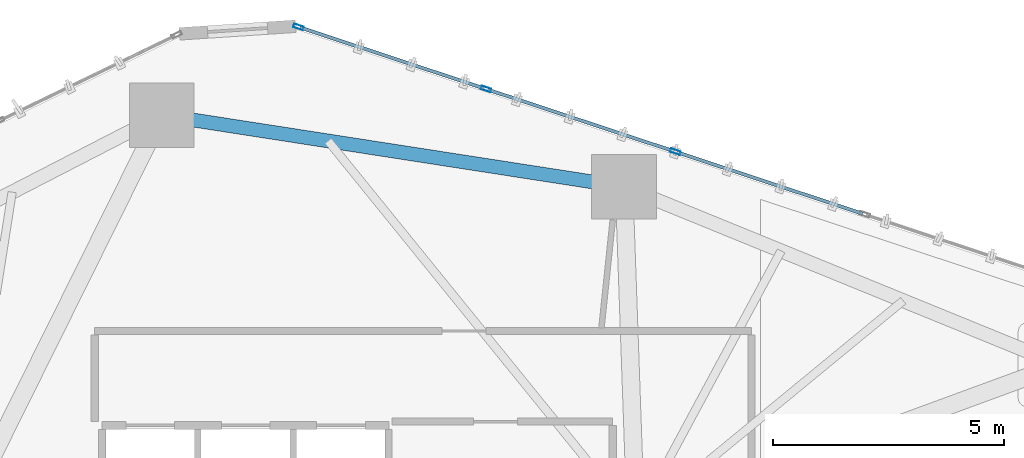
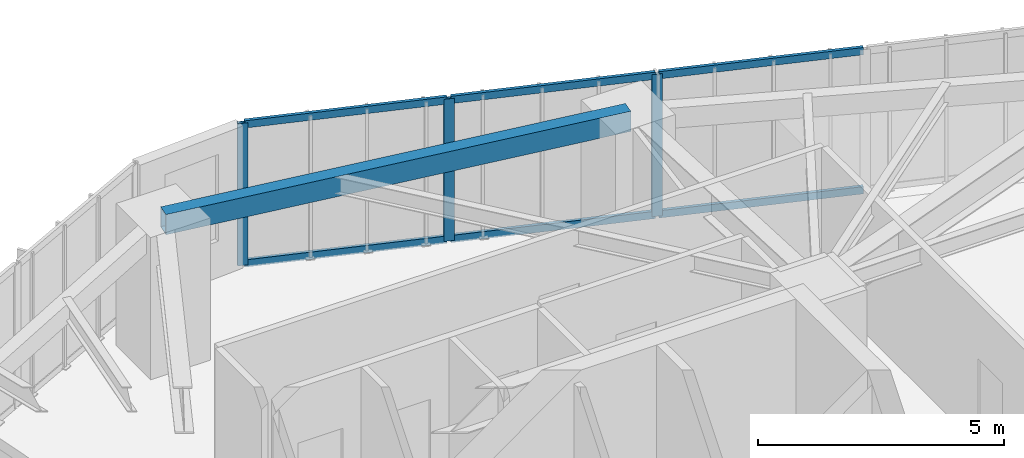
# One storey, part 15 of 23: 9 members, 1 beam, 1 element without a shape of its own.
"""IFC4 building model written with IfcOpenShell, lengths in metres."""

from ifc_helpers import new_model, si_unit, direction, frame, origin, origin_2d, place, context, subcontext, project, spatial, hollow_rectangle, extrude, source, transform, mapped, material, layer, layer_set, material_profile, profile_set, type_object, type_shapes, element, aggregate, save


model = new_model("IFC4")

# Units and contexts
model_context = context("Model", 3, precision=1e-05, world=origin(), true_north=direction((0.0, 1.0)))
body_context = subcontext(model_context, "Body", "Model", "MODEL_VIEW")
ifc_project = project(units=[si_unit("LENGTHUNIT", "METRE"), si_unit("AREAUNIT", "SQUARE_METRE"), si_unit("VOLUMEUNIT", "CUBIC_METRE"), si_unit("PLANEANGLEUNIT", "RADIAN"), si_unit("MASSUNIT", "GRAM", prefix="KILO")], contexts=[model_context])

# Site, building, storey
site_placement = place(None, origin())
site = spatial("IfcSite", under=ifc_project, at=site_placement, CompositionType="ELEMENT")
building_placement = place(site_placement, origin())
building = spatial("IfcBuilding", under=site, at=building_placement, Name="Talar Marvaseh", CompositionType="ELEMENT")
storey_placement = place(building_placement, frame((0.0, 0.0, 35.39990234375)))
storey = spatial("IfcBuildingStorey", under=building, at=storey_placement, Name="L08", CompositionType="ELEMENT", Elevation=35.39990234375)

# Beam
ifc_material_1 = material(Name="Steel S355", Category="steel")
ifc_material_profile_1 = material_profile(ifc_material_1, hollow_rectangle(XDim=0.300048828125, YDim=0.5, WallThickness=0.02001953125, at=origin_2d()), Name="RHS500x300x20")
ifc_profile_set_1 = profile_set([ifc_material_profile_1], Name="Steel S355")
beam_type = type_object("IfcBeamType", Name="Zone 1 Perimeter Spandrel Beam RHS500x300x20", PredefinedType="SPANDREL", material=ifc_profile_set_1)
beam_placement = place(storey_placement, frame((23.047119140625, 45.6669921875, 3.27001953125), z_axis=(0.988210751461, -0.153099675693, 0.0), x_axis=(0.153099675693, 0.988210751461, 0.0)))
element("IfcBeam", 1, at=beam_placement, inside=storey, type_object=beam_type, Name="L08 Zone 1 Perimeter Spandrel Beam RHS500x300x20", PredefinedType="SPANDREL", context=body_context, shape_type="SweptSolid", body=[
    extrude(hollow_rectangle(XDim=0.300048828125, YDim=0.5, WallThickness=0.02001953125, at=origin_2d()), origin(), (0.0, 0.0, 1.0), 10.1181640625),
])

# Curtain wall, members
ifc_material_2 = material(Name="Architectural Aluminium", Category="aluminium")
ifc_layer = layer(ifc_material_2, 0.219970703125)
ifc_layer_set = layer_set([ifc_layer], Name="Architectural Aluminium")
curtain_wall_type = type_object("IfcCurtainWallType", Name="Unitised Low-E Museum Curtain Wall Z1", PredefinedType="NOTDEFINED", material=ifc_layer_set)
curtain_wall_placement = place(storey_placement, origin())
curtain_wall = element("IfcCurtainWall", 2, at=curtain_wall_placement, inside=storey, type_object=curtain_wall_type, Name="L08 Unitised Low-E Museum Curtain Wall Z1", PredefinedType="NOTDEFINED")
ifc_material_profile_2 = material_profile(ifc_material_2, hollow_rectangle(XDim=0.080078125, YDim=0.219970703125, WallThickness=0.0048828125, at=origin_2d()), Name="RHS220x80x5")
ifc_profile_set_2 = profile_set([ifc_material_profile_2], Name="Architectural Aluminium")
member_type_1 = type_object("IfcMemberType", Name="Unitised Curtain Wall Heavy Mullion RHS220x80x5", PredefinedType="MULLION", material=ifc_profile_set_2)
shared_shape_1 = source(origin(), body_context, "Body", "SweptSolid", [
    extrude(hollow_rectangle(XDim=0.080078125, YDim=0.219970703125, WallThickness=0.0048828125, at=origin_2d()), origin(), (0.0, 0.0, 1.0), 3.52001953125),
])
type_shapes(member_type_1, [shared_shape_1])
member_1_placement = place(storey_placement, frame((26.0048828125, 47.573974609375, 0.0), z_axis=(0.0, 0.0, 1.0), x_axis=(0.314287701904, 0.949327783451, 0.0)))
member_1 = element("IfcMember", 3, at=member_1_placement, type_object=member_type_1, Name="CW-Z1 mullion 1", PredefinedType="MULLION", context=body_context, shape_type="MappedRepresentation", body=[
    mapped(shared_shape_1, transform((0.0, 0.0, 0.0), x_axis=(1.0, 0.0, 0.0), y_axis=(0.0, 1.0, 0.0), z_axis=(0.0, 0.0, 1.0), scale=1.0)),
])
member_2_placement = place(storey_placement, frame((30.060302734375, 46.2314453125, 0.0), z_axis=(0.0, 0.0, 1.0), x_axis=(0.314287701904, 0.949327783451, 0.0)))
member_2 = element("IfcMember", 4, at=member_2_placement, type_object=member_type_1, Name="CW-Z1 mullion 2", PredefinedType="MULLION", context=body_context, shape_type="MappedRepresentation", body=[
    mapped(shared_shape_1, transform((0.0, 0.0, 0.0), x_axis=(1.0, 0.0, 0.0), y_axis=(0.0, 1.0, 0.0), z_axis=(0.0, 0.0, 1.0), scale=1.0)),
])
member_3_placement = place(storey_placement, frame((34.153564453125, 44.876220703125, 0.0), z_axis=(0.0, 0.0, 1.0), x_axis=(0.314287701904, 0.949327783451, 0.0)))
member_3 = element("IfcMember", 5, at=member_3_placement, type_object=member_type_1, Name="CW-Z1 mullion 3", PredefinedType="MULLION", context=body_context, shape_type="MappedRepresentation", body=[
    mapped(shared_shape_1, transform((0.0, 0.0, 0.0), x_axis=(1.0, 0.0, 0.0), y_axis=(0.0, 1.0, 0.0), z_axis=(0.0, 0.0, 1.0), scale=1.0)),
])
ifc_material_profile_3 = material_profile(ifc_material_2, hollow_rectangle(XDim=0.074951171875, YDim=0.179931640625, WallThickness=0.0048828125, at=origin_2d()), Name="RHS180x75x5")
ifc_profile_set_3 = profile_set([ifc_material_profile_3], Name="Architectural Aluminium")
member_type_2 = type_object("IfcMemberType", Name="Unitised Curtain Wall Transom RHS180x75x5", PredefinedType="USERDEFINED", material=ifc_profile_set_3)
shared_shape_2 = source(origin(), body_context, "Body", "SweptSolid", [
    extrude(hollow_rectangle(XDim=0.074951171875, YDim=0.179931640625, WallThickness=0.0048828125, at=origin_2d()), origin(), (0.0, 0.0, 1.0), 4.19189453125),
])
member_4_placement = place(storey_placement, frame((26.042724609375, 47.561279296875, 0.03759765625), z_axis=(0.949333582559, -0.314270184754, 0.0), x_axis=(0.314270184754, 0.949333582559, 0.0)))
member_4 = element("IfcMember", 6, at=member_4_placement, type_object=member_type_2, Name="CW-Z1 transom 1.1", ObjectType="TRANSOM", PredefinedType="USERDEFINED", context=body_context, shape_type="MappedRepresentation", body=[
    mapped(shared_shape_2, transform((0.0, 0.0, 0.0), x_axis=(1.0, 0.0, 0.0), y_axis=(0.0, 1.0, 0.0), z_axis=(0.0, 0.0, 1.0), scale=1.0)),
])
member_5_placement = place(storey_placement, frame((26.042724609375, 47.561279296875, 3.482666015625), z_axis=(0.949333582559, -0.314270184754, 0.0), x_axis=(0.314270184754, 0.949333582559, 0.0)))
member_5 = element("IfcMember", 7, at=member_5_placement, type_object=member_type_2, Name="CW-Z1 transom 1.2", ObjectType="TRANSOM", PredefinedType="USERDEFINED", context=body_context, shape_type="MappedRepresentation", body=[
    mapped(shared_shape_2, transform((0.0, 0.0, 0.0), x_axis=(1.0, 0.0, 0.0), y_axis=(0.0, 1.0, 0.0), z_axis=(0.0, 0.0, 1.0), scale=1.0)),
])
shared_shape_3 = source(origin(), body_context, "Body", "SweptSolid", [
    extrude(hollow_rectangle(XDim=0.074951171875, YDim=0.179931640625, WallThickness=0.0048828125, at=origin_2d()), origin(), (0.0, 0.0, 1.0), 4.23193359375),
])
member_6_placement = place(storey_placement, frame((30.09814453125, 46.21875, 0.03759765625), z_axis=(0.949327432768, -0.314288761164, 0.0), x_axis=(0.314288761164, 0.949327432768, 0.0)))
member_6 = element("IfcMember", 8, at=member_6_placement, type_object=member_type_2, Name="CW-Z1 transom 2.1", ObjectType="TRANSOM", PredefinedType="USERDEFINED", context=body_context, shape_type="MappedRepresentation", body=[
    mapped(shared_shape_3, transform((0.0, 0.0, 0.0), x_axis=(1.0, 0.0, 0.0), y_axis=(0.0, 1.0, 0.0), z_axis=(0.0, 0.0, 1.0), scale=1.0)),
])
member_7_placement = place(storey_placement, frame((30.09814453125, 46.21875, 3.482666015625), z_axis=(0.949327432768, -0.314288761164, 0.0), x_axis=(0.314288761164, 0.949327432768, 0.0)))
member_7 = element("IfcMember", 9, at=member_7_placement, type_object=member_type_2, Name="CW-Z1 transom 2.2", ObjectType="TRANSOM", PredefinedType="USERDEFINED", context=body_context, shape_type="MappedRepresentation", body=[
    mapped(shared_shape_3, transform((0.0, 0.0, 0.0), x_axis=(1.0, 0.0, 0.0), y_axis=(0.0, 1.0, 0.0), z_axis=(0.0, 0.0, 1.0), scale=1.0)),
])
shared_shape_4 = source(origin(), body_context, "Body", "SweptSolid", [
    extrude(hollow_rectangle(XDim=0.074951171875, YDim=0.179931640625, WallThickness=0.0048828125, at=origin_2d()), origin(), (0.0, 0.0, 1.0), 4.231689453125),
])
type_shapes(member_type_2, [shared_shape_2, shared_shape_3, shared_shape_4])
member_8_placement = place(storey_placement, frame((34.191650390625, 44.863525390625, 0.03759765625), z_axis=(0.949321733945, -0.314305974265, 0.0), x_axis=(0.314305974265, 0.949321733945, 0.0)))
member_8 = element("IfcMember", 10, at=member_8_placement, type_object=member_type_2, Name="CW-Z1 transom 3.1", ObjectType="TRANSOM", PredefinedType="USERDEFINED", context=body_context, shape_type="MappedRepresentation", body=[
    mapped(shared_shape_4, transform((0.0, 0.0, 0.0), x_axis=(1.0, 0.0, 0.0), y_axis=(0.0, 1.0, 0.0), z_axis=(0.0, 0.0, 1.0), scale=1.0)),
])
member_9_placement = place(storey_placement, frame((34.191650390625, 44.863525390625, 3.482666015625), z_axis=(0.949321733945, -0.314305974265, 0.0), x_axis=(0.314305974265, 0.949321733945, 0.0)))
member_9 = element("IfcMember", 11, at=member_9_placement, type_object=member_type_2, Name="CW-Z1 transom 3.2", ObjectType="TRANSOM", PredefinedType="USERDEFINED", context=body_context, shape_type="MappedRepresentation", body=[
    mapped(shared_shape_4, transform((0.0, 0.0, 0.0), x_axis=(1.0, 0.0, 0.0), y_axis=(0.0, 1.0, 0.0), z_axis=(0.0, 0.0, 1.0), scale=1.0)),
])
aggregate(curtain_wall, [member_1, member_2, member_3, member_4, member_5, member_6, member_7, member_8, member_9])

save(model, "model.ifc")
